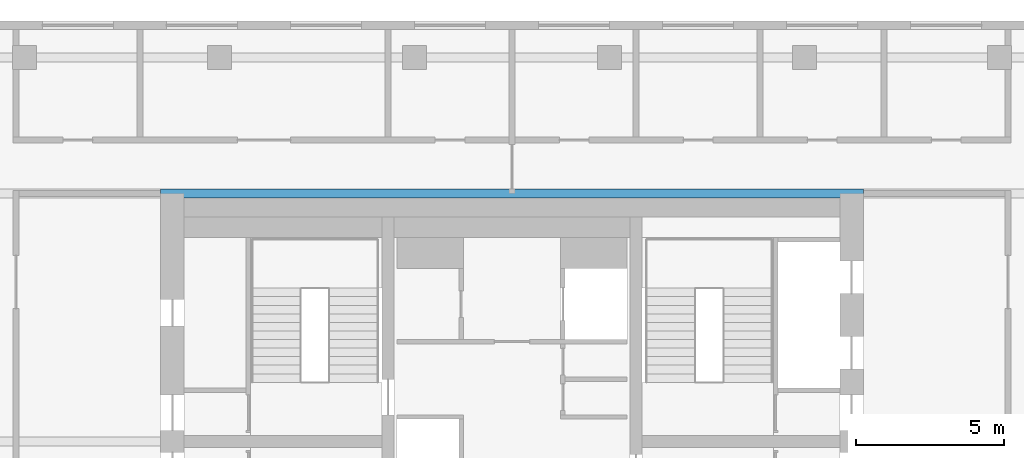
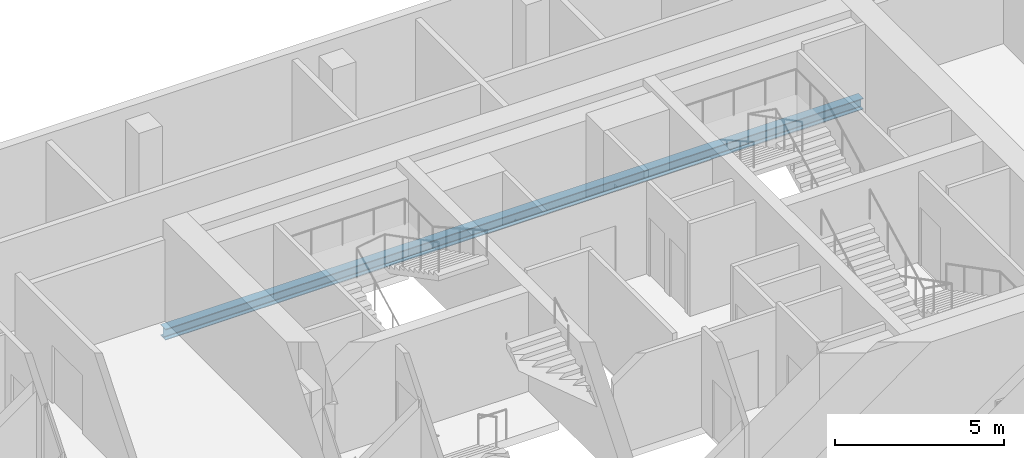
# One storey, part 9 of 22: 1 beam.
"""IFC4 building model written with IfcOpenShell, lengths in metres."""

import ifcopenshell
import ifcopenshell.guid

model = None  # the IFC model being written
_history = None  # IfcOwnerHistory: only IFC2X3 demands one
_inside = {}  # id of a spatial element -> (the spatial element, [elements in it])
_under = {}  # id of a project, library or spatial element -> (it, [spatial elements below it])
_declared = {}  # id of a project -> (the project, [libraries it declares])
_typed = {}  # id of a type object -> (the type object, [elements of that type])
_made_of = {}  # id of a material, layer set ... -> (it, [elements and type objects made of it])


def new_model(schema):
    """Start an empty IFC model of exactly this schema.

    Asked for "IFC4X3", IfcOpenShell would pick the latest addendum, in which some entities
    have other attributes; the version numbers below select the first issue.
    IFC2X3 requires an IfcOwnerHistory on every rooted entity: one is made here for all.
    """
    global model, _history
    if schema == "IFC4X3":
        model = ifcopenshell.file(schema_version=(4, 3, 0, 0))
    else:
        model = ifcopenshell.file(schema=schema)
    _inside.clear()
    _under.clear()
    _declared.clear()
    _typed.clear()
    _made_of.clear()
    _history = None
    if model.schema == "IFC2X3":
        org = make("IfcOrganization", Name="unknown")
        user = make(
            "IfcPersonAndOrganization",
            ThePerson=make("IfcPerson", FamilyName="unknown"),
            TheOrganization=org,
        )
        app = make(
            "IfcApplication",
            ApplicationDeveloper=org,
            Version="unknown",
            ApplicationFullName="unknown",
            ApplicationIdentifier="unknown",
        )
        _history = make(
            "IfcOwnerHistory",
            OwningUser=user,
            OwningApplication=app,
            ChangeAction="ADDED",
            CreationDate=0,
        )
    return model


def make(cls, **values):
    """One entity of the class cls with the attributes given. An attribute that is None is left unset."""
    return model.create_entity(
        cls, **{name: value for name, value in values.items() if value is not None}
    )


def rooted(cls, **values):
    """An entity with a GlobalId (a new one), such as an element, a storey or a relation."""
    return make(cls, GlobalId=ifcopenshell.guid.new(), OwnerHistory=_history, **values)


def si_unit(unit_type, name, prefix=None):
    """IfcSIUnit, for example si_unit("LENGTHUNIT", "METRE", prefix="MILLI")."""
    return make("IfcSIUnit", UnitType=unit_type, Prefix=prefix, Name=name)


def assignment(units):
    """IfcUnitAssignment: the units of a project."""
    return None if units is None else make("IfcUnitAssignment", Units=units)


def point(xyz):
    """IfcCartesianPoint."""
    return None if xyz is None else make("IfcCartesianPoint", Coordinates=xyz)


def direction(xyz):
    """IfcDirection."""
    return None if xyz is None else make("IfcDirection", DirectionRatios=xyz)


def frame(location, z_axis=None, x_axis=None):
    """IfcAxis2Placement3D, a coordinate frame: its origin and axes. An axis left out is left unset."""
    return make(
        "IfcAxis2Placement3D",
        Location=point(location),
        Axis=direction(z_axis),
        RefDirection=direction(x_axis),
    )


def frame_2d(location, x_axis=None):
    """IfcAxis2Placement2D, a coordinate frame in the plane: its origin and x axis."""
    return make(
        "IfcAxis2Placement2D", Location=point(location), RefDirection=direction(x_axis)
    )


def origin():
    """The frame at (0, 0, 0) with its axes left unset."""
    return frame((0.0, 0.0, 0.0))


def origin_2d():
    """The frame at (0, 0) in the plane with its x axis left unset."""
    return frame_2d((0.0, 0.0))


def place(relative_to, where):
    """IfcLocalPlacement: puts the frame where relative to a parent placement (None: the world)."""
    return make(
        "IfcLocalPlacement", PlacementRelTo=relative_to, RelativePlacement=where
    )


def context(
    kind, dimensions, precision=None, world=None, true_north=None, identifier=None
):
    """IfcGeometricRepresentationContext, for example the 3D "Model" context."""
    return make(
        "IfcGeometricRepresentationContext",
        ContextIdentifier=identifier,
        ContextType=kind,
        CoordinateSpaceDimension=dimensions,
        Precision=precision,
        WorldCoordinateSystem=world,
        TrueNorth=true_north,
    )


def subcontext(parent, identifier, kind, view, scale=None):
    """IfcGeometricRepresentationSubContext, for example "Body" below "Model"."""
    return make(
        "IfcGeometricRepresentationSubContext",
        ContextIdentifier=identifier,
        ContextType=kind,
        ParentContext=parent,
        TargetScale=scale,
        TargetView=view,
    )


def project(units=None, contexts=None):
    """IfcProject with its units and contexts."""
    return rooted(
        "IfcProject",
        Name="project",
        RepresentationContexts=contexts,
        UnitsInContext=assignment(units),
    )


def spatial(cls, under=None, at=None, **own):
    """A site, building, storey or space (cls), placed at a placement, below another one or the project."""
    s = rooted(cls, ObjectPlacement=at, **own)
    if under is not None:
        _under.setdefault(under.id(), (under, []))[1].append(s)
    return s


def profile(cls, at=None, kind="AREA", **sizes):
    """A parametric profile (cls). Its sizes go by their IFC names, for example OverallWidth=200.0."""
    return make(cls, ProfileType=kind, Position=at, **sizes)


def i_section(**sizes):
    """IfcIShapeProfileDef."""
    return profile("IfcIShapeProfileDef", **sizes)


def extrude(swept, where, along, depth):
    """IfcExtrudedAreaSolid: the profile swept, set in the frame where, extruded along a direction by depth."""
    return make(
        "IfcExtrudedAreaSolid",
        SweptArea=swept,
        Position=where,
        ExtrudedDirection=direction(along),
        Depth=depth,
    )


def shape(context_of_items, identifier, shape_type, items):
    """IfcShapeRepresentation: the items that make up one representation, for example the "Body"."""
    return make(
        "IfcShapeRepresentation",
        ContextOfItems=context_of_items,
        RepresentationIdentifier=identifier,
        RepresentationType=shape_type,
        Items=items,
    )


def material(Name=None, Category=None):
    """IfcMaterial."""
    return make("IfcMaterial", Name=Name, Category=Category)


def material_profile(
    of_material, cross_section, Name=None, Category=None, Priority=None
):
    """IfcMaterialProfile: a cross section and its material."""
    return make(
        "IfcMaterialProfile",
        Name=Name,
        Material=of_material,
        Profile=cross_section,
        Priority=Priority,
        Category=Category,
    )


def profile_set(profiles, Name=None, composite=None):
    """IfcMaterialProfileSet."""
    return make(
        "IfcMaterialProfileSet",
        Name=Name,
        MaterialProfiles=profiles,
        CompositeProfile=composite,
    )


def made_of(thing, what):
    """Note that an element or type object is made of a material, layer set ...; save() writes the relation."""
    if what is not None:
        _made_of.setdefault(what.id(), (what, []))[1].append(thing)
    return thing


def type_object(cls, material=None, **own):
    """A type object (cls), such as IfcWallType, which elements share."""
    return made_of(rooted(cls, **own), material)


def element(
    cls,
    number,
    at=None,
    inside=None,
    cuts=None,
    type_object=None,
    material=None,
    context=None,
    identifier="Body",
    shape_type=None,
    held_by="IfcProductDefinitionShape",
    body=None,
    shapes=None,
    **own,
):
    """One element of the class cls, such as IfcWall. Its Tag is "e" and its number.

    at: its placement. inside: the storey or other place that contains it. cuts: it is an
    opening in that element (IfcRelVoidsElement). A single representation is given by context,
    identifier, shape_type and body (its items); several are given by shapes. held_by: the class
    of the entity that holds the representations. save() writes the other relations.
    """
    e = rooted(cls, Tag="e%d" % number, ObjectPlacement=at, **own)
    if body is not None:
        shapes = [shape(context, identifier, shape_type, body)]
    if shapes is not None:
        e.Representation = make(held_by, Representations=shapes)
    if inside is not None:
        _inside.setdefault(inside.id(), (inside, []))[1].append(e)
    if cuts is not None:
        rooted(
            "IfcRelVoidsElement", RelatingBuildingElement=cuts, RelatedOpeningElement=e
        )
    if type_object is not None:
        _typed.setdefault(type_object.id(), (type_object, []))[1].append(e)
    return made_of(e, material)


def aggregate(whole, parts):
    """IfcRelAggregates: a whole, such as a stair, and the parts it consists of."""
    return rooted("IfcRelAggregates", RelatingObject=whole, RelatedObjects=parts)


def save(model, path):
    """Write the relations noted so far, then the file.

    IfcRelAggregates (storeys below a building ...), IfcRelContainedInSpatialStructure (elements
    in a storey), IfcRelDefinesByType, IfcRelAssociatesMaterial and IfcRelDeclares: one each for
    every whole, place, type object, material and project.
    """
    for whole, parts in _under.values():
        aggregate(whole, parts)
    for where, things in _inside.values():
        rooted(
            "IfcRelContainedInSpatialStructure",
            RelatedElements=things,
            RelatingStructure=where,
        )
    for kind, things in _typed.values():
        rooted("IfcRelDefinesByType", RelatedObjects=things, RelatingType=kind)
    for what, things in _made_of.values():
        rooted("IfcRelAssociatesMaterial", RelatedObjects=things, RelatingMaterial=what)
    for by, libraries in _declared.values():
        rooted("IfcRelDeclares", RelatingContext=by, RelatedDefinitions=libraries)
    model.write(path)


model = new_model("IFC4")

# Units and contexts
model_context = context("Model", 3, precision=1e-05, world=origin(), true_north=direction((0.0, 1.0)))
body_context = subcontext(model_context, "Body", "Model", "MODEL_VIEW")
ifc_project = project(units=[si_unit("LENGTHUNIT", "METRE"), si_unit("AREAUNIT", "SQUARE_METRE"), si_unit("VOLUMEUNIT", "CUBIC_METRE"), si_unit("PLANEANGLEUNIT", "RADIAN"), si_unit("MASSUNIT", "GRAM", prefix="KILO")], contexts=[model_context])

# Site, building, storey
site_placement = place(None, origin())
site = spatial("IfcSite", under=ifc_project, at=site_placement, CompositionType="ELEMENT")
building_placement = place(site_placement, origin())
building = spatial("IfcBuilding", under=site, at=building_placement, Name="Marenta Gate Hotel Tower", CompositionType="ELEMENT")
storey_placement = place(building_placement, frame((0.0, 0.0, 238.10009765625)))
storey = spatial("IfcBuildingStorey", under=building, at=storey_placement, Name="L56", CompositionType="ELEMENT", Elevation=238.10009765625)

# Beam
ifc_material = material(Name="Steel S355", Category="steel")
ifc_material_profile = material_profile(ifc_material, i_section(OverallWidth=0.300048828125, OverallDepth=0.39990234375, WebThickness=0.013427734375, FlangeThickness=0.02392578125, FilletRadius=0.027099609375, at=origin_2d()), Name="HEB 400")
ifc_profile_set = profile_set([ifc_material_profile], Name="Steel S355")
beam_type = type_object("IfcBeamType", Name="Girder HEB 400", PredefinedType="BEAM", material=ifc_profile_set)
beam_placement = place(storey_placement, frame((-11.89990234375, 16.800048828125, -0.460205078125), z_axis=(1.0, 0.0, 0.0), x_axis=(0.0, 1.0, 0.0)))
element("IfcBeam", 1, at=beam_placement, inside=storey, type_object=beam_type, Name="L56-GD-31", PredefinedType="BEAM", context=body_context, shape_type="SweptSolid", body=[
    extrude(i_section(OverallWidth=0.300048828125, OverallDepth=0.39990234375, WebThickness=0.013427734375, FlangeThickness=0.02392578125, FilletRadius=0.027099609375, at=origin_2d()), origin(), (0.0, 0.0, 1.0), 23.7998046875),
])

save(model, "model.ifc")
